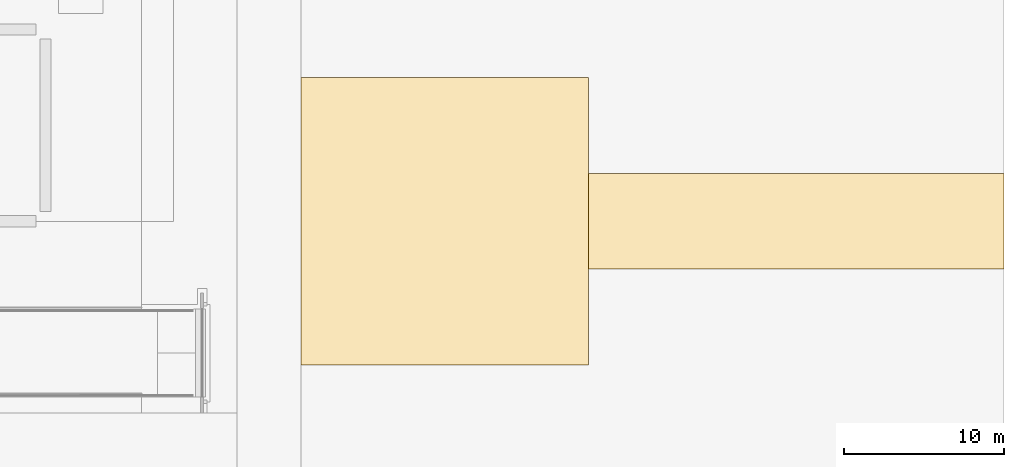
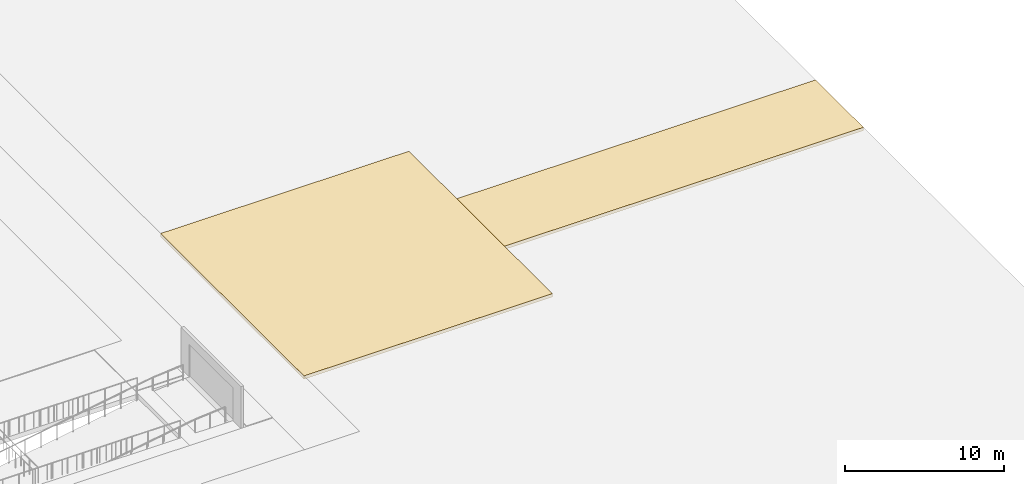
# One storey, part 21 of 22: 2 coverings.
"""IFC4 building model written with IfcOpenShell, lengths in metres."""

from ifc_helpers import new_model, si_unit, direction, frame, origin, place, context, subcontext, project, spatial, polyline, outline, extrude, material, layer, layer_set, type_object, element, save


model = new_model("IFC4")

# Units and contexts
model_context = context("Model", 3, precision=1e-05, world=origin(), true_north=direction((0.0, 1.0)))
body_context = subcontext(model_context, "Body", "Model", "MODEL_VIEW")
ifc_project = project(units=[si_unit("LENGTHUNIT", "METRE"), si_unit("AREAUNIT", "SQUARE_METRE"), si_unit("VOLUMEUNIT", "CUBIC_METRE"), si_unit("PLANEANGLEUNIT", "RADIAN"), si_unit("MASSUNIT", "GRAM", prefix="KILO")], contexts=[model_context])

# Site, building, storey
site_placement = place(None, origin())
site = spatial("IfcSite", under=ifc_project, at=site_placement, CompositionType="ELEMENT")
building_placement = place(site_placement, origin())
building = spatial("IfcBuilding", under=site, at=building_placement, Name="Sorahane Residences", CompositionType="ELEMENT")
storey_placement = place(building_placement, origin())
storey = spatial("IfcBuildingStorey", under=building, at=storey_placement, Name="L00", CompositionType="ELEMENT", Elevation=0.0)

# Coverings
ifc_material = material(Name="Concrete paving on compacted granular sub-base", Category="concrete")
ifc_layer = layer(ifc_material, 0.25)
ifc_layer_set = layer_set([ifc_layer], Name="Fire lane paving concrete 250")
covering_type = type_object("IfcCoveringType", Name="Fire lane paving concrete 250", PredefinedType="USERDEFINED", material=ifc_layer_set)
covering_1_placement = place(storey_placement, frame((0.0, 0.0, -0.25)))
element("IfcCovering", 1, at=covering_1_placement, inside=storey, type_object=covering_type, Name="Fire engine turning area", ObjectType="PAVING", PredefinedType="USERDEFINED", context=body_context, shape_type="SweptSolid", body=[
    extrude(outline(polyline([(112.0, -9.0), (112.0, 9.0), (94.0, 9.0), (94.0, -9.0), (112.0, -9.0)])), origin(), (0.0, 0.0, 1.0), 0.25),
])
covering_2_placement = place(storey_placement, frame((0.0, 0.0, -0.25)))
element("IfcCovering", 2, at=covering_2_placement, inside=storey, type_object=covering_type, Name="Fire lane access road", ObjectType="PAVING", PredefinedType="USERDEFINED", context=body_context, shape_type="SweptSolid", body=[
    extrude(outline(polyline([(138.0, -3.0), (138.0, 3.0), (112.0, 3.0), (112.0, -3.0), (138.0, -3.0)])), origin(), (0.0, 0.0, 1.0), 0.25),
])

save(model, "model.ifc")
